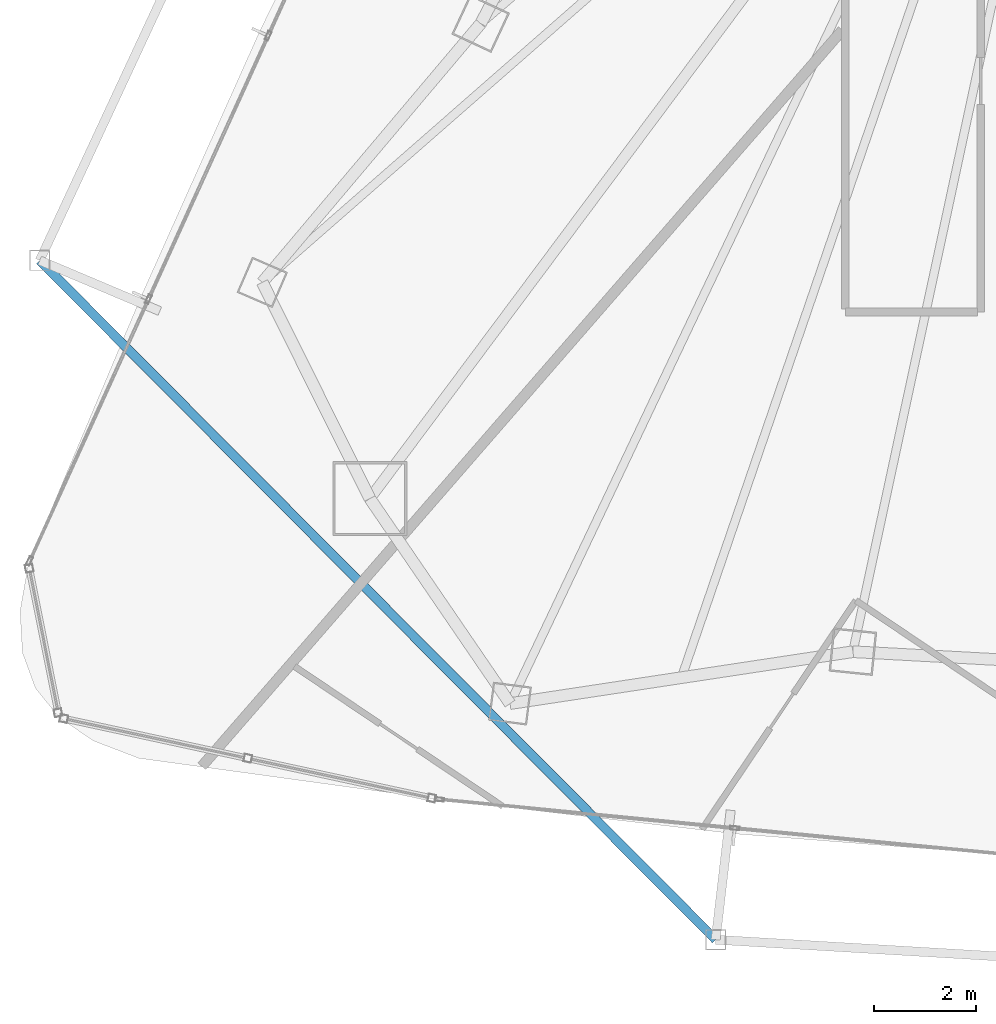
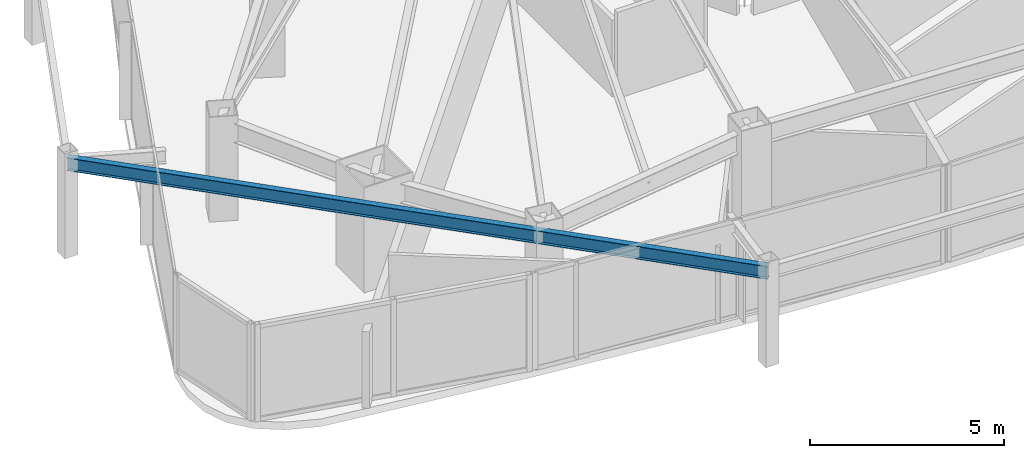
# One storey, part 3 of 30: 1 beam.
"""IFC4 building model written with IfcOpenShell, lengths in metres."""

from ifc_helpers import new_model, si_unit, direction, frame, origin, origin_2d, place, context, subcontext, project, spatial, i_section, extrude, material, material_profile, profile_set, type_object, element, save


model = new_model("IFC4")

# Units and contexts
model_context = context("Model", 3, precision=1e-05, world=origin(), true_north=direction((0.0, 1.0)))
body_context = subcontext(model_context, "Body", "Model", "MODEL_VIEW")
ifc_project = project(units=[si_unit("LENGTHUNIT", "METRE"), si_unit("AREAUNIT", "SQUARE_METRE"), si_unit("VOLUMEUNIT", "CUBIC_METRE"), si_unit("PLANEANGLEUNIT", "RADIAN"), si_unit("MASSUNIT", "GRAM", prefix="KILO")], contexts=[model_context])

# Site, building, storey
site_placement = place(None, origin())
site = spatial("IfcSite", under=ifc_project, at=site_placement, CompositionType="ELEMENT")
building_placement = place(site_placement, origin())
building = spatial("IfcBuilding", under=site, at=building_placement, Name="Orvanel Arch Residences", CompositionType="ELEMENT")
storey_placement = place(building_placement, frame((0.0, 0.0, 136.39990234375)))
storey = spatial("IfcBuildingStorey", under=building, at=storey_placement, Name="L38", CompositionType="ELEMENT", Elevation=136.39990234375)

# Beam
ifc_material = material(Name="Structural steel AS/NZS 3679.1 Grade 300 (300 MPa)", Category="steel")
ifc_material_profile = material_profile(ifc_material, i_section(OverallWidth=0.177978515625, OverallDepth=0.406005859375, WebThickness=0.0078125, FlangeThickness=0.0126953125, at=origin_2d()), Name="410UB59.7")
ifc_profile_set = profile_set([ifc_material_profile], Name="Structural steel AS/NZS 3679.1 Grade 300 (300 MPa)")
beam_type = type_object("IfcBeamType", Name="OB-410UB-EXT", PredefinedType="SPANDREL", material=ifc_profile_set)
beam_placement = place(storey_placement, frame((7.740966796875, 15.009033203125, 2.857177734375), z_axis=(0.705346503613, -0.708862687579, 0.0), x_axis=(0.708862687579, 0.705346503613, 0.0)))
element("IfcBeam", 1, at=beam_placement, inside=storey, type_object=beam_type, Name="L38 Outer Perimeter Floor Ring Beam 04", PredefinedType="SPANDREL", context=body_context, shape_type="SweptSolid", body=[
    extrude(i_section(OverallWidth=0.177978515625, OverallDepth=0.406005859375, WebThickness=0.0078125, FlangeThickness=0.0126953125, at=origin_2d()), origin(), (0.0, 0.0, 1.0), 18.7470703125),
])

save(model, "model.ifc")
